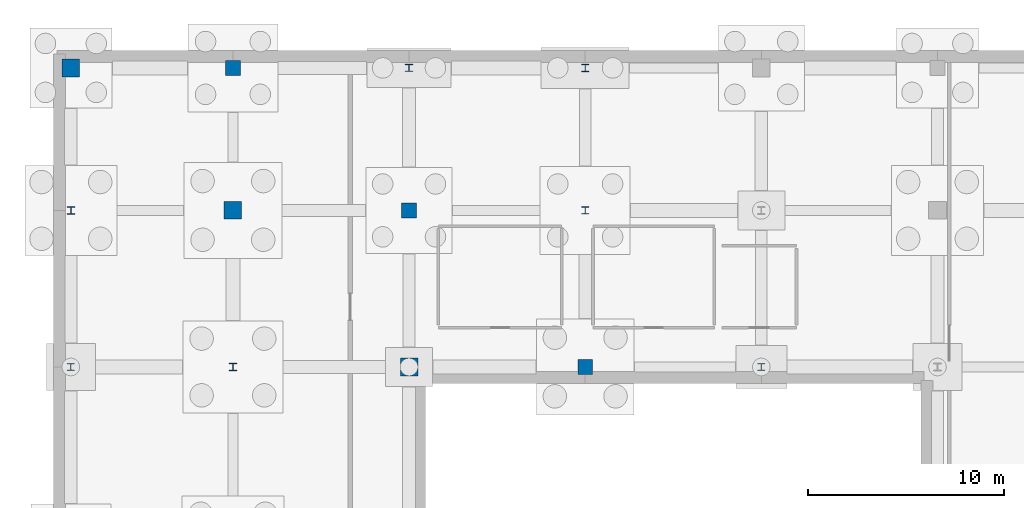
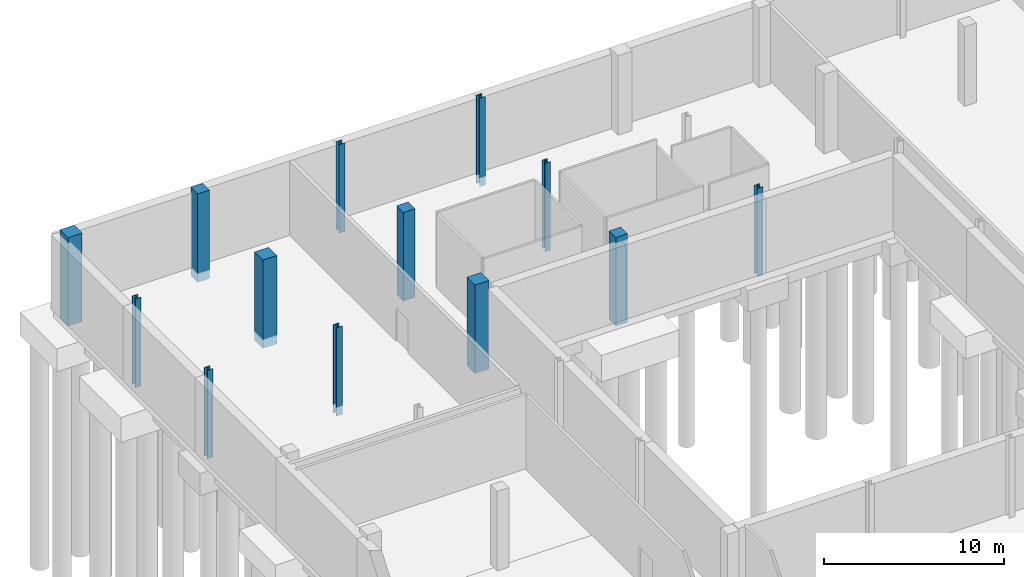
# One storey, part 26 of 60: 13 columns.
"""IFC4 building model written with IfcOpenShell, lengths in metres."""

from ifc_helpers import new_model, si_unit, direction, frame, origin, origin_2d, place, context, subcontext, project, spatial, rectangle, i_section, extrude, material, material_profile, profile_set, type_object, element, save


model = new_model("IFC4")

# Units and contexts
model_context = context("Model", 3, precision=1e-05, world=origin(), true_north=direction((0.0, 1.0)))
body_context = subcontext(model_context, "Body", "Model", "MODEL_VIEW")
ifc_project = project(units=[si_unit("LENGTHUNIT", "METRE"), si_unit("AREAUNIT", "SQUARE_METRE"), si_unit("VOLUMEUNIT", "CUBIC_METRE"), si_unit("PLANEANGLEUNIT", "RADIAN"), si_unit("MASSUNIT", "GRAM", prefix="KILO")], contexts=[model_context])

# Site, building, storey
site_placement = place(None, origin())
site = spatial("IfcSite", under=ifc_project, at=site_placement, CompositionType="ELEMENT")
building_placement = place(site_placement, origin())
building = spatial("IfcBuilding", under=site, at=building_placement, Name="Trimount Lyric Opera House", CompositionType="ELEMENT")
storey_placement = place(building_placement, frame((0.0, 0.0, -5.39990234375)))
storey = spatial("IfcBuildingStorey", under=building, at=storey_placement, Name="B1", CompositionType="ELEMENT", Elevation=-5.39990234375)

# Columns
ifc_material_1 = material(Name="Steel ASTM A992 Grade 50", Category="steel")
ifc_material_profile_1 = material_profile(ifc_material_1, i_section(OverallWidth=0.373046875, OverallDepth=0.367919921875, WebThickness=0.014892578125, FlangeThickness=0.02392578125, FilletRadius=0.014892578125, at=origin_2d()), Name="W14X120")
ifc_profile_set_1 = profile_set([ifc_material_profile_1], Name="Steel ASTM A992 Grade 50")
column_type_1 = type_object("IfcColumnType", Name="C-04", PredefinedType="COLUMN", material=ifc_profile_set_1)
for number, where, z_axis, x_axis, name in (
    (1, (0.719970703125, 110.0, -0.60009765625), (0.0, 0.0, 1.0), (1.0, 0.0, 0.0), "B1 column 1/N"),
    (2, (9.0, 102.0, -0.60009765625), (0.0, 0.0, 1.0), (1.0, 0.0, 0.0), "B1 column 2/M"),
    (3, (27.0, 117.280029296875, -0.60009765625), (0.0, 0.0, 1.0), (1.0, 0.0, 0.0), "B1 column 4/P"),
):
    element("IfcColumn", number, at=place(storey_placement, frame(where, z_axis=z_axis, x_axis=x_axis)), inside=storey, type_object=column_type_1, Name=name, PredefinedType="COLUMN", context=body_context, shape_type="SweptSolid", body=[
        extrude(i_section(OverallWidth=0.373046875, OverallDepth=0.367919921875, WebThickness=0.014892578125, FlangeThickness=0.02392578125, FilletRadius=0.014892578125, at=origin_2d()), origin(), (0.0, 0.0, 1.0), 6.0),
    ])
ifc_material_2 = material(Name="Steel ASTM A992 Grade 50", Category="steel")
ifc_material_profile_2 = material_profile(ifc_material_2, i_section(OverallWidth=0.367919921875, OverallDepth=0.35595703125, WebThickness=0.01123046875, FlangeThickness=0.01806640625, FilletRadius=0.014892578125, at=origin_2d()), Name="W14X90")
ifc_profile_set_2 = profile_set([ifc_material_profile_2], Name="Steel ASTM A992 Grade 50")
column_type_2 = type_object("IfcColumnType", Name="C-09", PredefinedType="COLUMN", material=ifc_profile_set_2)
for number, where, z_axis, x_axis, name in (
    (4, (0.719970703125, 102.0, -0.60009765625), (0.0, 0.0, 1.0), (1.0, 0.0, 0.0), "B1 column 1/M"),
    (5, (18.0, 117.280029296875, -0.60009765625), (0.0, 0.0, 1.0), (1.0, 0.0, 0.0), "B1 column 3/P"),
    (6, (27.0, 110.0, -0.60009765625), (0.0, 0.0, 1.0), (1.0, 0.0, 0.0), "B1 column 4/N"),
    (7, (36.0, 102.0, -0.60009765625), (0.0, 0.0, 1.0), (1.0, 0.0, 0.0), "B1 column 5/M"),
):
    element("IfcColumn", number, at=place(storey_placement, frame(where, z_axis=z_axis, x_axis=x_axis)), inside=storey, type_object=column_type_2, Name=name, PredefinedType="COLUMN", context=body_context, shape_type="SweptSolid", body=[
        extrude(i_section(OverallWidth=0.367919921875, OverallDepth=0.35595703125, WebThickness=0.01123046875, FlangeThickness=0.01806640625, FilletRadius=0.014892578125, at=origin_2d()), origin(), (0.0, 0.0, 1.0), 6.0),
    ])
ifc_material_3 = material(Name="Concrete C50/60", Category="concrete")
ifc_material_profile_3 = material_profile(ifc_material_3, rectangle(XDim=0.89990234375, YDim=0.89990234375, at=origin_2d()), Name="RC900X900")
ifc_profile_set_3 = profile_set([ifc_material_profile_3], Name="Concrete C50/60")
column_type_3 = type_object("IfcColumnType", Name="C-13", PredefinedType="COLUMN", material=ifc_profile_set_3)
for number, where, z_axis, x_axis, name in (
    (8, (0.719970703125, 117.280029296875, -0.60009765625), (0.0, 0.0, 1.0), (1.0, 0.0, 0.0), "B1 column 1/P"),
    (9, (9.0, 110.0, -0.60009765625), (0.0, 0.0, 1.0), (1.0, 0.0, 0.0), "B1 column 2/N"),
    (10, (18.0, 102.0, -0.60009765625), (0.0, 0.0, 1.0), (1.0, 0.0, 0.0), "B1 column 3/M"),
):
    element("IfcColumn", number, at=place(storey_placement, frame(where, z_axis=z_axis, x_axis=x_axis)), inside=storey, type_object=column_type_3, Name=name, PredefinedType="COLUMN", context=body_context, shape_type="SweptSolid", body=[
        extrude(rectangle(XDim=0.89990234375, YDim=0.89990234375, at=origin_2d()), origin(), (0.0, 0.0, 1.0), 6.0),
    ])
ifc_material_4 = material(Name="Concrete C40/50", Category="concrete")
ifc_material_profile_4 = material_profile(ifc_material_4, rectangle(XDim=0.75, YDim=0.75, at=origin_2d()), Name="RC750X750")
ifc_profile_set_4 = profile_set([ifc_material_profile_4], Name="Concrete C40/50")
column_type_4 = type_object("IfcColumnType", Name="C-15", PredefinedType="COLUMN", material=ifc_profile_set_4)
for number, where, z_axis, x_axis, name in (
    (11, (9.0, 117.280029296875, -0.60009765625), (0.0, 0.0, 1.0), (1.0, 0.0, 0.0), "B1 column 2/P"),
    (12, (18.0, 110.0, -0.60009765625), (0.0, 0.0, 1.0), (1.0, 0.0, 0.0), "B1 column 3/N"),
    (13, (27.0, 102.0, -0.60009765625), (0.0, 0.0, 1.0), (1.0, 0.0, 0.0), "B1 column 4/M"),
):
    element("IfcColumn", number, at=place(storey_placement, frame(where, z_axis=z_axis, x_axis=x_axis)), inside=storey, type_object=column_type_4, Name=name, PredefinedType="COLUMN", context=body_context, shape_type="SweptSolid", body=[
        extrude(rectangle(XDim=0.75, YDim=0.75, at=origin_2d()), origin(), (0.0, 0.0, 1.0), 6.0),
    ])

save(model, "model.ifc")
